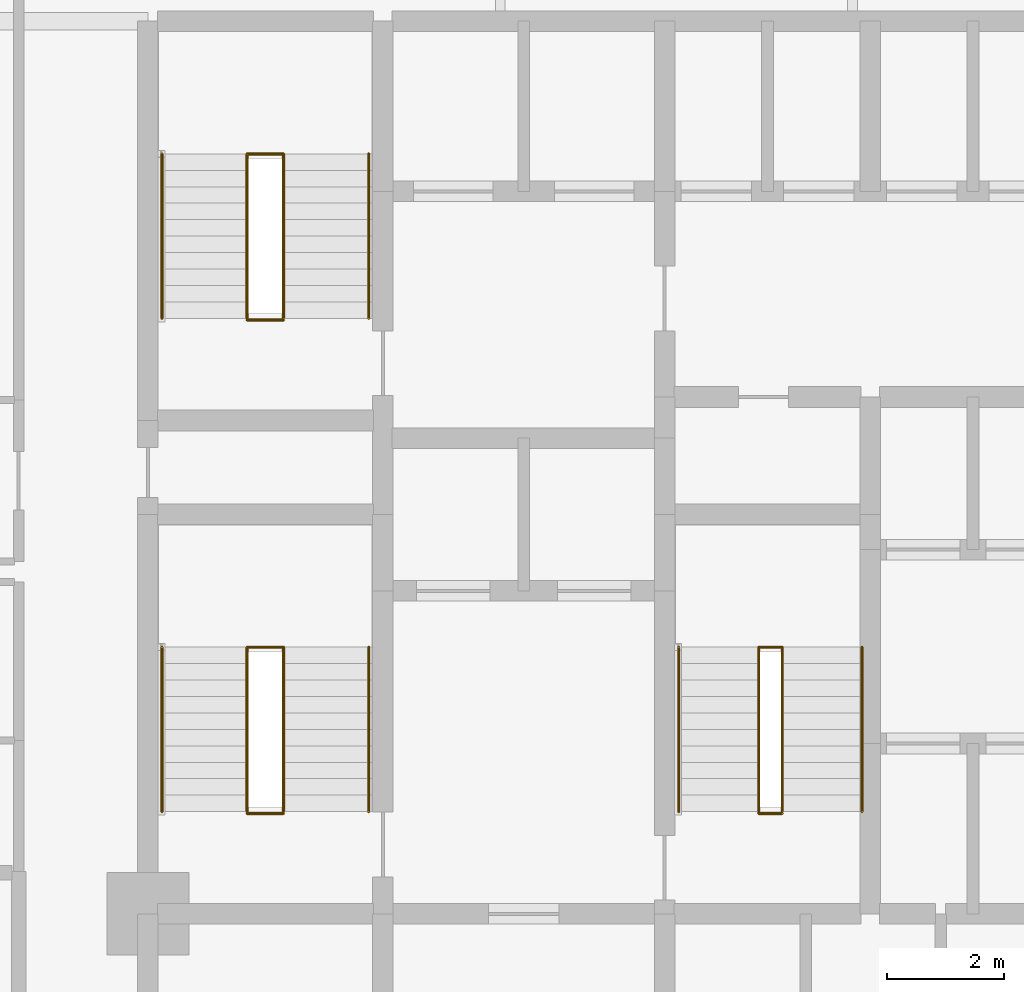
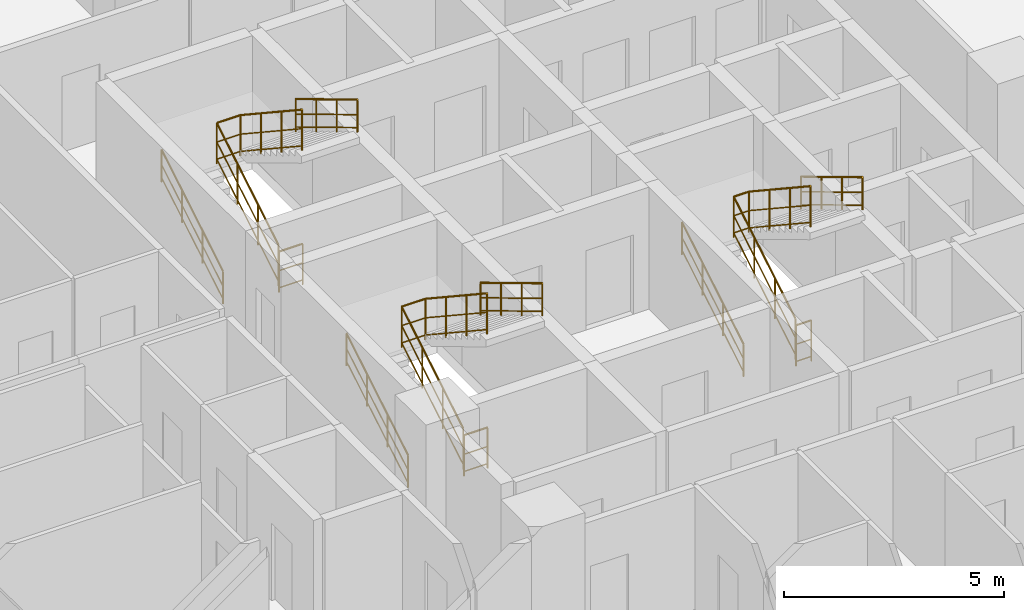
# One storey, part 33 of 33: 12 railings.
"""IFC4 building model written with IfcOpenShell, lengths in metres."""

from ifc_helpers import new_model, si_unit, direction, frame, origin, origin_2d, place, context, subcontext, project, spatial, circle, extrude, material, layer, layer_set, type_object, element, save


model = new_model("IFC4")

# Units and contexts
model_context = context("Model", 3, precision=1e-05, world=origin(), true_north=direction((0.0, 1.0)))
body_context = subcontext(model_context, "Body", "Model", "MODEL_VIEW")
ifc_project = project(units=[si_unit("LENGTHUNIT", "METRE"), si_unit("AREAUNIT", "SQUARE_METRE"), si_unit("VOLUMEUNIT", "CUBIC_METRE"), si_unit("PLANEANGLEUNIT", "RADIAN"), si_unit("MASSUNIT", "GRAM", prefix="KILO")], contexts=[model_context])

# Site, building, storey
site_placement = place(None, origin())
site = spatial("IfcSite", under=ifc_project, at=site_placement, CompositionType="ELEMENT")
building_placement = place(site_placement, origin())
building = spatial("IfcBuilding", under=site, at=building_placement, Name="Keshet Zoharim Tower", CompositionType="ELEMENT")
storey_placement = place(building_placement, frame((0.0, 0.0, 35.10009765625)))
storey = spatial("IfcBuildingStorey", under=building, at=storey_placement, Name="L07", CompositionType="ELEMENT", Elevation=35.10009765625)

# Railings
ifc_material = material(Name="Steel S355", Category="steel")
ifc_layer_1 = layer(ifc_material, 0.050048828125)
ifc_layer_set_1 = layer_set([ifc_layer_1], Name="Steel S355")
railing_type_1 = type_object("IfcRailingType", Name="RL-HND-092", PredefinedType="HANDRAIL", material=ifc_layer_set_1)
railing_1_placement = place(storey_placement, frame((15.239990234375, 24.43994140625, 0.168212890625)))
element("IfcRailing", 1, at=railing_1_placement, inside=storey, type_object=railing_type_1, Name="L07 ST-01 Flight 1 Wall Handrail", PredefinedType="HANDRAIL", context=body_context, shape_type="SweptSolid", body=[
    extrude(circle(Radius=0.02392578125, at=origin_2d()), frame((0.0, 0.0, 0.89599609375), z_axis=(0.0, 0.857275202839, 0.514858452973), x_axis=(-1.0, 0.0, 0.0)), (0.0, 0.0, 1.0), 3.26611328125),
    extrude(circle(Radius=0.01611328125, at=origin_2d()), frame((0.0, 0.0, 0.478271484375), z_axis=(0.0, 0.857275202839, 0.514858452973), x_axis=(-1.0, 0.0, 0.0)), (0.0, 0.0, 1.0), 3.26611328125),
    extrude(circle(Radius=0.01611328125, at=origin_2d()), frame((0.0, 0.0, 0.1201171875), z_axis=(0.0, 0.857275202839, 0.514858452973), x_axis=(-1.0, 0.0, 0.0)), (0.0, 0.0, 1.0), 3.26611328125),
    extrude(circle(Radius=0.02099609375, at=origin_2d()), origin(), (0.0, 0.0, 1.0), 0.871826171875),
    extrude(circle(Radius=0.02099609375, at=origin_2d()), frame((0.0, 0.933349609375, 0.560546875)), (0.0, 0.0, 1.0), 0.871826171875),
    extrude(circle(Radius=0.02099609375, at=origin_2d()), frame((0.0, 1.86669921875, 1.12109375)), (0.0, 0.0, 1.0), 0.871826171875),
    extrude(circle(Radius=0.02099609375, at=origin_2d()), frame((0.0, 2.800048828125, 1.681640625)), (0.0, 0.0, 1.0), 0.871826171875),
])
railing_2_placement = place(storey_placement, frame((18.760009765625, 27.239990234375, 2.01806640625)))
element("IfcRailing", 2, at=railing_2_placement, inside=storey, type_object=railing_type_1, Name="L07 ST-01 Flight 2 Wall Handrail", PredefinedType="HANDRAIL", context=body_context, shape_type="SweptSolid", body=[
    extrude(circle(Radius=0.02392578125, at=origin_2d()), frame((0.0, 0.0, 0.89599609375), z_axis=(0.0, -0.857242210791, 0.514913383045), x_axis=(1.0, 0.0, 0.0)), (0.0, 0.0, 1.0), 3.266357421875),
    extrude(circle(Radius=0.01611328125, at=origin_2d()), frame((0.0, 0.0, 0.478271484375), z_axis=(0.0, -0.857242210791, 0.514913383045), x_axis=(1.0, 0.0, 0.0)), (0.0, 0.0, 1.0), 3.266357421875),
    extrude(circle(Radius=0.01611328125, at=origin_2d()), frame((0.0, 0.0, 0.1201171875), z_axis=(0.0, -0.857242210791, 0.514913383045), x_axis=(1.0, 0.0, 0.0)), (0.0, 0.0, 1.0), 3.266357421875),
    extrude(circle(Radius=0.02099609375, at=origin_2d()), origin(), (0.0, 0.0, 1.0), 0.871826171875),
    extrude(circle(Radius=0.02099609375, at=origin_2d()), frame((0.0, -0.933349609375, 0.560546875)), (0.0, 0.0, 1.0), 0.871826171875),
    extrude(circle(Radius=0.02099609375, at=origin_2d()), frame((0.0, -1.86669921875, 1.121337890625)), (0.0, 0.0, 1.0), 0.871826171875),
    extrude(circle(Radius=0.02099609375, at=origin_2d()), frame((0.0, -2.800048828125, 1.681884765625)), (0.0, 0.0, 1.0), 0.871826171875),
])
railing_3_placement = place(storey_placement, frame((15.239990234375, 32.840087890625, 0.168212890625)))
element("IfcRailing", 3, at=railing_3_placement, inside=storey, type_object=railing_type_1, Name="L07 ST-02 Flight 1 Wall Handrail", PredefinedType="HANDRAIL", context=body_context, shape_type="SweptSolid", body=[
    extrude(circle(Radius=0.02392578125, at=origin_2d()), frame((0.0, 0.0, 0.89599609375), z_axis=(0.0, 0.857255387014, 0.514891446264), x_axis=(-1.0, 0.0, 0.0)), (0.0, 0.0, 1.0), 3.26611328125),
    extrude(circle(Radius=0.01611328125, at=origin_2d()), frame((0.0, 0.0, 0.478271484375), z_axis=(0.0, 0.857255387014, 0.514891446264), x_axis=(-1.0, 0.0, 0.0)), (0.0, 0.0, 1.0), 3.26611328125),
    extrude(circle(Radius=0.01611328125, at=origin_2d()), frame((0.0, 0.0, 0.1201171875), z_axis=(0.0, 0.857255387014, 0.514891446264), x_axis=(-1.0, 0.0, 0.0)), (0.0, 0.0, 1.0), 3.26611328125),
    extrude(circle(Radius=0.02099609375, at=origin_2d()), origin(), (0.0, 0.0, 1.0), 0.871826171875),
    extrude(circle(Radius=0.02099609375, at=origin_2d()), frame((0.0, 0.933349609375, 0.560546875)), (0.0, 0.0, 1.0), 0.871826171875),
    extrude(circle(Radius=0.02099609375, at=origin_2d()), frame((0.0, 1.866455078125, 1.12109375)), (0.0, 0.0, 1.0), 0.871826171875),
    extrude(circle(Radius=0.02099609375, at=origin_2d()), frame((0.0, 2.7998046875, 1.681640625)), (0.0, 0.0, 1.0), 0.871826171875),
])
railing_4_placement = place(storey_placement, frame((18.760009765625, 35.639892578125, 2.01806640625)))
element("IfcRailing", 4, at=railing_4_placement, inside=storey, type_object=railing_type_1, Name="L07 ST-02 Flight 2 Wall Handrail", PredefinedType="HANDRAIL", context=body_context, shape_type="SweptSolid", body=[
    extrude(circle(Radius=0.02392578125, at=origin_2d()), frame((0.0, 0.0, 0.89599609375), z_axis=(0.0, -0.857222391501, 0.514946377315), x_axis=(1.0, 0.0, 0.0)), (0.0, 0.0, 1.0), 3.26611328125),
    extrude(circle(Radius=0.01611328125, at=origin_2d()), frame((0.0, 0.0, 0.478271484375), z_axis=(0.0, -0.857222391501, 0.514946377315), x_axis=(1.0, 0.0, 0.0)), (0.0, 0.0, 1.0), 3.26611328125),
    extrude(circle(Radius=0.01611328125, at=origin_2d()), frame((0.0, 0.0, 0.1201171875), z_axis=(0.0, -0.857222391501, 0.514946377315), x_axis=(1.0, 0.0, 0.0)), (0.0, 0.0, 1.0), 3.26611328125),
    extrude(circle(Radius=0.02099609375, at=origin_2d()), origin(), (0.0, 0.0, 1.0), 0.871826171875),
    extrude(circle(Radius=0.02099609375, at=origin_2d()), frame((0.0, -0.933349609375, 0.560546875)), (0.0, 0.0, 1.0), 0.871826171875),
    extrude(circle(Radius=0.02099609375, at=origin_2d()), frame((0.0, -1.866455078125, 1.121337890625)), (0.0, 0.0, 1.0), 0.871826171875),
    extrude(circle(Radius=0.02099609375, at=origin_2d()), frame((0.0, -2.7998046875, 1.681884765625)), (0.0, 0.0, 1.0), 0.871826171875),
])
railing_5_placement = place(storey_placement, frame((24.0400390625, 24.43994140625, 0.168212890625)))
element("IfcRailing", 5, at=railing_5_placement, inside=storey, type_object=railing_type_1, Name="L07 ST-03 Flight 1 Wall Handrail", PredefinedType="HANDRAIL", context=body_context, shape_type="SweptSolid", body=[
    extrude(circle(Radius=0.02392578125, at=origin_2d()), frame((0.0, 0.0, 0.89599609375), z_axis=(0.0, 0.857275202839, 0.514858452973), x_axis=(-1.0, 0.0, 0.0)), (0.0, 0.0, 1.0), 3.26611328125),
    extrude(circle(Radius=0.01611328125, at=origin_2d()), frame((0.0, 0.0, 0.478271484375), z_axis=(0.0, 0.857275202839, 0.514858452973), x_axis=(-1.0, 0.0, 0.0)), (0.0, 0.0, 1.0), 3.26611328125),
    extrude(circle(Radius=0.01611328125, at=origin_2d()), frame((0.0, 0.0, 0.1201171875), z_axis=(0.0, 0.857275202839, 0.514858452973), x_axis=(-1.0, 0.0, 0.0)), (0.0, 0.0, 1.0), 3.26611328125),
    extrude(circle(Radius=0.02099609375, at=origin_2d()), origin(), (0.0, 0.0, 1.0), 0.871826171875),
    extrude(circle(Radius=0.02099609375, at=origin_2d()), frame((0.0, 0.933349609375, 0.560546875)), (0.0, 0.0, 1.0), 0.871826171875),
    extrude(circle(Radius=0.02099609375, at=origin_2d()), frame((0.0, 1.86669921875, 1.12109375)), (0.0, 0.0, 1.0), 0.871826171875),
    extrude(circle(Radius=0.02099609375, at=origin_2d()), frame((0.0, 2.800048828125, 1.681640625)), (0.0, 0.0, 1.0), 0.871826171875),
])
railing_6_placement = place(storey_placement, frame((27.159912109375, 27.239990234375, 2.01806640625)))
element("IfcRailing", 6, at=railing_6_placement, inside=storey, type_object=railing_type_1, Name="L07 ST-03 Flight 2 Wall Handrail", PredefinedType="HANDRAIL", context=body_context, shape_type="SweptSolid", body=[
    extrude(circle(Radius=0.02392578125, at=origin_2d()), frame((0.0, 0.0, 0.89599609375), z_axis=(0.0, -0.857242210791, 0.514913383045), x_axis=(1.0, 0.0, 0.0)), (0.0, 0.0, 1.0), 3.266357421875),
    extrude(circle(Radius=0.01611328125, at=origin_2d()), frame((0.0, 0.0, 0.478271484375), z_axis=(0.0, -0.857242210791, 0.514913383045), x_axis=(1.0, 0.0, 0.0)), (0.0, 0.0, 1.0), 3.266357421875),
    extrude(circle(Radius=0.01611328125, at=origin_2d()), frame((0.0, 0.0, 0.1201171875), z_axis=(0.0, -0.857242210791, 0.514913383045), x_axis=(1.0, 0.0, 0.0)), (0.0, 0.0, 1.0), 3.266357421875),
    extrude(circle(Radius=0.02099609375, at=origin_2d()), origin(), (0.0, 0.0, 1.0), 0.871826171875),
    extrude(circle(Radius=0.02099609375, at=origin_2d()), frame((0.0, -0.933349609375, 0.560546875)), (0.0, 0.0, 1.0), 0.871826171875),
    extrude(circle(Radius=0.02099609375, at=origin_2d()), frame((0.0, -1.86669921875, 1.121337890625)), (0.0, 0.0, 1.0), 0.871826171875),
    extrude(circle(Radius=0.02099609375, at=origin_2d()), frame((0.0, -2.800048828125, 1.681884765625)), (0.0, 0.0, 1.0), 0.871826171875),
])
ifc_layer_2 = layer(ifc_material, 0.06005859375)
ifc_layer_set_2 = layer_set([ifc_layer_2], Name="Steel S355")
railing_type_2 = type_object("IfcRailingType", Name="RL-STG-115", PredefinedType="GUARDRAIL", material=ifc_layer_set_2)
railing_7_placement = place(storey_placement, frame((16.68994140625, 24.43994140625, 0.168212890625)))
element("IfcRailing", 7, at=railing_7_placement, inside=storey, type_object=railing_type_2, Name="L07 ST-01 Inner Well Guardrail", PredefinedType="GUARDRAIL", context=body_context, shape_type="SweptSolid", body=[
    extrude(circle(Radius=0.02392578125, at=origin_2d()), frame((0.0, 0.0, 1.1259765625), z_axis=(0.0, 0.857275202839, 0.514858452973), x_axis=(-1.0, 0.0, 0.0)), (0.0, 0.0, 1.0), 3.26611328125),
    extrude(circle(Radius=0.01611328125, at=origin_2d()), frame((0.0, 0.0, 0.597900390625), z_axis=(0.0, 0.857275202839, 0.514858452973), x_axis=(-1.0, 0.0, 0.0)), (0.0, 0.0, 1.0), 3.26611328125),
    extrude(circle(Radius=0.01611328125, at=origin_2d()), frame((0.0, 0.0, 0.1201171875), z_axis=(0.0, 0.857275202839, 0.514858452973), x_axis=(-1.0, 0.0, 0.0)), (0.0, 0.0, 1.0), 3.26611328125),
    extrude(circle(Radius=0.02392578125, at=origin_2d()), frame((0.0, 2.800048828125, 2.8076171875), z_axis=(1.0, 0.0, 0.0), x_axis=(0.0, 1.0, 0.0)), (0.0, 0.0, 1.0), 0.6201171875),
    extrude(circle(Radius=0.01611328125, at=origin_2d()), frame((0.0, 2.800048828125, 2.279541015625), z_axis=(1.0, 0.0, 0.0), x_axis=(0.0, 1.0, 0.0)), (0.0, 0.0, 1.0), 0.6201171875),
    extrude(circle(Radius=0.01611328125, at=origin_2d()), frame((0.0, 2.800048828125, 1.8017578125), z_axis=(1.0, 0.0, 0.0), x_axis=(0.0, 1.0, 0.0)), (0.0, 0.0, 1.0), 0.6201171875),
    extrude(circle(Radius=0.02392578125, at=origin_2d()), frame((0.6201171875, 2.800048828125, 2.8076171875), z_axis=(0.0, -0.834326358476, 0.551270829586), x_axis=(1.0, 0.0, 0.0)), (0.0, 0.0, 1.0), 3.35595703125),
    extrude(circle(Radius=0.01611328125, at=origin_2d()), frame((0.6201171875, 2.800048828125, 2.279541015625), z_axis=(0.0, -0.834326358476, 0.551270829586), x_axis=(1.0, 0.0, 0.0)), (0.0, 0.0, 1.0), 3.35595703125),
    extrude(circle(Radius=0.01611328125, at=origin_2d()), frame((0.6201171875, 2.800048828125, 1.8017578125), z_axis=(0.0, -0.834326358476, 0.551270829586), x_axis=(1.0, 0.0, 0.0)), (0.0, 0.0, 1.0), 3.35595703125),
    extrude(circle(Radius=0.02099609375, at=origin_2d()), origin(), (0.0, 0.0, 1.0), 1.101806640625),
    extrude(circle(Radius=0.02099609375, at=origin_2d()), frame((0.0, 0.933349609375, 0.560546875)), (0.0, 0.0, 1.0), 1.101806640625),
    extrude(circle(Radius=0.02099609375, at=origin_2d()), frame((0.0, 1.86669921875, 1.12109375)), (0.0, 0.0, 1.0), 1.101806640625),
    extrude(circle(Radius=0.02099609375, at=origin_2d()), frame((0.0, 2.800048828125, 1.681640625)), (0.0, 0.0, 1.0), 1.101806640625),
    extrude(circle(Radius=0.02099609375, at=origin_2d()), frame((0.6201171875, 2.800048828125, 1.681640625)), (0.0, 0.0, 1.0), 1.101806640625),
    extrude(circle(Radius=0.02099609375, at=origin_2d()), frame((0.6201171875, 1.86669921875, 2.29833984375)), (0.0, 0.0, 1.0), 1.101806640625),
    extrude(circle(Radius=0.02099609375, at=origin_2d()), frame((0.6201171875, 0.933349609375, 2.9150390625)), (0.0, 0.0, 1.0), 1.101806640625),
    extrude(circle(Radius=0.02099609375, at=origin_2d()), frame((0.6201171875, 0.0, 3.53173828125)), (0.0, 0.0, 1.0), 1.101806640625),
])
railing_8_placement = place(storey_placement, frame((16.68994140625, 24.409912109375, 0.0)))
element("IfcRailing", 8, at=railing_8_placement, inside=storey, type_object=railing_type_2, Name="L07 ST-01 Stairwell Floor Guardrail", PredefinedType="GUARDRAIL", context=body_context, shape_type="SweptSolid", body=[
    extrude(circle(Radius=0.02392578125, at=origin_2d()), frame((0.0, 0.0, 1.1259765625), z_axis=(1.0, 0.0, 0.0), x_axis=(0.0, 1.0, 0.0)), (0.0, 0.0, 1.0), 0.6201171875),
    extrude(circle(Radius=0.01611328125, at=origin_2d()), frame((0.0, 0.0, 0.597900390625), z_axis=(1.0, 0.0, 0.0), x_axis=(0.0, 1.0, 0.0)), (0.0, 0.0, 1.0), 0.6201171875),
    extrude(circle(Radius=0.01611328125, at=origin_2d()), frame((0.0, 0.0, 0.1201171875), z_axis=(1.0, 0.0, 0.0), x_axis=(0.0, 1.0, 0.0)), (0.0, 0.0, 1.0), 0.6201171875),
    extrude(circle(Radius=0.02099609375, at=origin_2d()), origin(), (0.0, 0.0, 1.0), 1.101806640625),
    extrude(circle(Radius=0.02099609375, at=origin_2d()), frame((0.6201171875, 0.0, 0.0)), (0.0, 0.0, 1.0), 1.101806640625),
])
railing_9_placement = place(storey_placement, frame((16.68994140625, 32.840087890625, 0.168212890625)))
element("IfcRailing", 9, at=railing_9_placement, inside=storey, type_object=railing_type_2, Name="L07 ST-02 Inner Well Guardrail", PredefinedType="GUARDRAIL", context=body_context, shape_type="SweptSolid", body=[
    extrude(circle(Radius=0.02392578125, at=origin_2d()), frame((0.0, 0.0, 1.1259765625), z_axis=(0.0, 0.857255387014, 0.514891446264), x_axis=(-1.0, 0.0, 0.0)), (0.0, 0.0, 1.0), 3.26611328125),
    extrude(circle(Radius=0.01611328125, at=origin_2d()), frame((0.0, 0.0, 0.597900390625), z_axis=(0.0, 0.857255387014, 0.514891446264), x_axis=(-1.0, 0.0, 0.0)), (0.0, 0.0, 1.0), 3.26611328125),
    extrude(circle(Radius=0.01611328125, at=origin_2d()), frame((0.0, 0.0, 0.1201171875), z_axis=(0.0, 0.857255387014, 0.514891446264), x_axis=(-1.0, 0.0, 0.0)), (0.0, 0.0, 1.0), 3.26611328125),
    extrude(circle(Radius=0.02392578125, at=origin_2d()), frame((0.0, 2.7998046875, 2.8076171875), z_axis=(1.0, 0.0, 0.0), x_axis=(0.0, 1.0, 0.0)), (0.0, 0.0, 1.0), 0.6201171875),
    extrude(circle(Radius=0.01611328125, at=origin_2d()), frame((0.0, 2.7998046875, 2.279541015625), z_axis=(1.0, 0.0, 0.0), x_axis=(0.0, 1.0, 0.0)), (0.0, 0.0, 1.0), 0.6201171875),
    extrude(circle(Radius=0.01611328125, at=origin_2d()), frame((0.0, 2.7998046875, 1.8017578125), z_axis=(1.0, 0.0, 0.0), x_axis=(0.0, 1.0, 0.0)), (0.0, 0.0, 1.0), 0.6201171875),
    extrude(circle(Radius=0.02392578125, at=origin_2d()), frame((0.6201171875, 2.7998046875, 2.8076171875), z_axis=(0.0, -0.834304248922, 0.551304290053), x_axis=(1.0, 0.0, 0.0)), (0.0, 0.0, 1.0), 3.35595703125),
    extrude(circle(Radius=0.01611328125, at=origin_2d()), frame((0.6201171875, 2.7998046875, 2.279541015625), z_axis=(0.0, -0.834304248922, 0.551304290053), x_axis=(1.0, 0.0, 0.0)), (0.0, 0.0, 1.0), 3.35595703125),
    extrude(circle(Radius=0.01611328125, at=origin_2d()), frame((0.6201171875, 2.7998046875, 1.8017578125), z_axis=(0.0, -0.834304248922, 0.551304290053), x_axis=(1.0, 0.0, 0.0)), (0.0, 0.0, 1.0), 3.35595703125),
    extrude(circle(Radius=0.02099609375, at=origin_2d()), origin(), (0.0, 0.0, 1.0), 1.101806640625),
    extrude(circle(Radius=0.02099609375, at=origin_2d()), frame((0.0, 0.933349609375, 0.560546875)), (0.0, 0.0, 1.0), 1.101806640625),
    extrude(circle(Radius=0.02099609375, at=origin_2d()), frame((0.0, 1.866455078125, 1.12109375)), (0.0, 0.0, 1.0), 1.101806640625),
    extrude(circle(Radius=0.02099609375, at=origin_2d()), frame((0.0, 2.7998046875, 1.681640625)), (0.0, 0.0, 1.0), 1.101806640625),
    extrude(circle(Radius=0.02099609375, at=origin_2d()), frame((0.6201171875, 2.7998046875, 1.681640625)), (0.0, 0.0, 1.0), 1.101806640625),
    extrude(circle(Radius=0.02099609375, at=origin_2d()), frame((0.6201171875, 1.866455078125, 2.29833984375)), (0.0, 0.0, 1.0), 1.101806640625),
    extrude(circle(Radius=0.02099609375, at=origin_2d()), frame((0.6201171875, 0.933349609375, 2.9150390625)), (0.0, 0.0, 1.0), 1.101806640625),
    extrude(circle(Radius=0.02099609375, at=origin_2d()), frame((0.6201171875, 0.0, 3.53173828125)), (0.0, 0.0, 1.0), 1.101806640625),
])
railing_10_placement = place(storey_placement, frame((16.68994140625, 32.81005859375, 0.0)))
element("IfcRailing", 10, at=railing_10_placement, inside=storey, type_object=railing_type_2, Name="L07 ST-02 Stairwell Floor Guardrail", PredefinedType="GUARDRAIL", context=body_context, shape_type="SweptSolid", body=[
    extrude(circle(Radius=0.02392578125, at=origin_2d()), frame((0.0, 0.0, 1.1259765625), z_axis=(1.0, 0.0, 0.0), x_axis=(0.0, 1.0, 0.0)), (0.0, 0.0, 1.0), 0.6201171875),
    extrude(circle(Radius=0.01611328125, at=origin_2d()), frame((0.0, 0.0, 0.597900390625), z_axis=(1.0, 0.0, 0.0), x_axis=(0.0, 1.0, 0.0)), (0.0, 0.0, 1.0), 0.6201171875),
    extrude(circle(Radius=0.01611328125, at=origin_2d()), frame((0.0, 0.0, 0.1201171875), z_axis=(1.0, 0.0, 0.0), x_axis=(0.0, 1.0, 0.0)), (0.0, 0.0, 1.0), 0.6201171875),
    extrude(circle(Radius=0.02099609375, at=origin_2d()), origin(), (0.0, 0.0, 1.0), 1.101806640625),
    extrude(circle(Radius=0.02099609375, at=origin_2d()), frame((0.6201171875, 0.0, 0.0)), (0.0, 0.0, 1.0), 1.101806640625),
])
railing_11_placement = place(storey_placement, frame((25.39990234375, 24.43994140625, 0.168212890625)))
element("IfcRailing", 11, at=railing_11_placement, inside=storey, type_object=railing_type_2, Name="L07 ST-03 Inner Well Guardrail", PredefinedType="GUARDRAIL", context=body_context, shape_type="SweptSolid", body=[
    extrude(circle(Radius=0.02392578125, at=origin_2d()), frame((0.0, 0.0, 1.1259765625), z_axis=(0.0, 0.857275202839, 0.514858452973), x_axis=(-1.0, 0.0, 0.0)), (0.0, 0.0, 1.0), 3.26611328125),
    extrude(circle(Radius=0.01611328125, at=origin_2d()), frame((0.0, 0.0, 0.597900390625), z_axis=(0.0, 0.857275202839, 0.514858452973), x_axis=(-1.0, 0.0, 0.0)), (0.0, 0.0, 1.0), 3.26611328125),
    extrude(circle(Radius=0.01611328125, at=origin_2d()), frame((0.0, 0.0, 0.1201171875), z_axis=(0.0, 0.857275202839, 0.514858452973), x_axis=(-1.0, 0.0, 0.0)), (0.0, 0.0, 1.0), 3.26611328125),
    extrude(circle(Radius=0.02392578125, at=origin_2d()), frame((0.0, 2.800048828125, 2.8076171875), z_axis=(1.0, 0.0, 0.0), x_axis=(0.0, 1.0, 0.0)), (0.0, 0.0, 1.0), 0.400146484375),
    extrude(circle(Radius=0.01611328125, at=origin_2d()), frame((0.0, 2.800048828125, 2.279541015625), z_axis=(1.0, 0.0, 0.0), x_axis=(0.0, 1.0, 0.0)), (0.0, 0.0, 1.0), 0.400146484375),
    extrude(circle(Radius=0.01611328125, at=origin_2d()), frame((0.0, 2.800048828125, 1.8017578125), z_axis=(1.0, 0.0, 0.0), x_axis=(0.0, 1.0, 0.0)), (0.0, 0.0, 1.0), 0.400146484375),
    extrude(circle(Radius=0.02392578125, at=origin_2d()), frame((0.400146484375, 2.800048828125, 2.8076171875), z_axis=(0.0, -0.834326358476, 0.551270829586), x_axis=(1.0, 0.0, 0.0)), (0.0, 0.0, 1.0), 3.35595703125),
    extrude(circle(Radius=0.01611328125, at=origin_2d()), frame((0.400146484375, 2.800048828125, 2.279541015625), z_axis=(0.0, -0.834326358476, 0.551270829586), x_axis=(1.0, 0.0, 0.0)), (0.0, 0.0, 1.0), 3.35595703125),
    extrude(circle(Radius=0.01611328125, at=origin_2d()), frame((0.400146484375, 2.800048828125, 1.8017578125), z_axis=(0.0, -0.834326358476, 0.551270829586), x_axis=(1.0, 0.0, 0.0)), (0.0, 0.0, 1.0), 3.35595703125),
    extrude(circle(Radius=0.02099609375, at=origin_2d()), origin(), (0.0, 0.0, 1.0), 1.101806640625),
    extrude(circle(Radius=0.02099609375, at=origin_2d()), frame((0.0, 0.933349609375, 0.560546875)), (0.0, 0.0, 1.0), 1.101806640625),
    extrude(circle(Radius=0.02099609375, at=origin_2d()), frame((0.0, 1.86669921875, 1.12109375)), (0.0, 0.0, 1.0), 1.101806640625),
    extrude(circle(Radius=0.02099609375, at=origin_2d()), frame((0.0, 2.800048828125, 1.681640625)), (0.0, 0.0, 1.0), 1.101806640625),
    extrude(circle(Radius=0.02099609375, at=origin_2d()), frame((0.400146484375, 2.800048828125, 1.681640625)), (0.0, 0.0, 1.0), 1.101806640625),
    extrude(circle(Radius=0.02099609375, at=origin_2d()), frame((0.400146484375, 1.86669921875, 2.29833984375)), (0.0, 0.0, 1.0), 1.101806640625),
    extrude(circle(Radius=0.02099609375, at=origin_2d()), frame((0.400146484375, 0.933349609375, 2.9150390625)), (0.0, 0.0, 1.0), 1.101806640625),
    extrude(circle(Radius=0.02099609375, at=origin_2d()), frame((0.400146484375, 0.0, 3.53173828125)), (0.0, 0.0, 1.0), 1.101806640625),
])
railing_12_placement = place(storey_placement, frame((25.39990234375, 24.409912109375, 0.0)))
element("IfcRailing", 12, at=railing_12_placement, inside=storey, type_object=railing_type_2, Name="L07 ST-03 Stairwell Floor Guardrail", PredefinedType="GUARDRAIL", context=body_context, shape_type="SweptSolid", body=[
    extrude(circle(Radius=0.02392578125, at=origin_2d()), frame((0.0, 0.0, 1.1259765625), z_axis=(1.0, 0.0, 0.0), x_axis=(0.0, 1.0, 0.0)), (0.0, 0.0, 1.0), 0.400146484375),
    extrude(circle(Radius=0.01611328125, at=origin_2d()), frame((0.0, 0.0, 0.597900390625), z_axis=(1.0, 0.0, 0.0), x_axis=(0.0, 1.0, 0.0)), (0.0, 0.0, 1.0), 0.400146484375),
    extrude(circle(Radius=0.01611328125, at=origin_2d()), frame((0.0, 0.0, 0.1201171875), z_axis=(1.0, 0.0, 0.0), x_axis=(0.0, 1.0, 0.0)), (0.0, 0.0, 1.0), 0.400146484375),
    extrude(circle(Radius=0.02099609375, at=origin_2d()), origin(), (0.0, 0.0, 1.0), 1.101806640625),
    extrude(circle(Radius=0.02099609375, at=origin_2d()), frame((0.400146484375, 0.0, 0.0)), (0.0, 0.0, 1.0), 1.101806640625),
])

save(model, "model.ifc")
